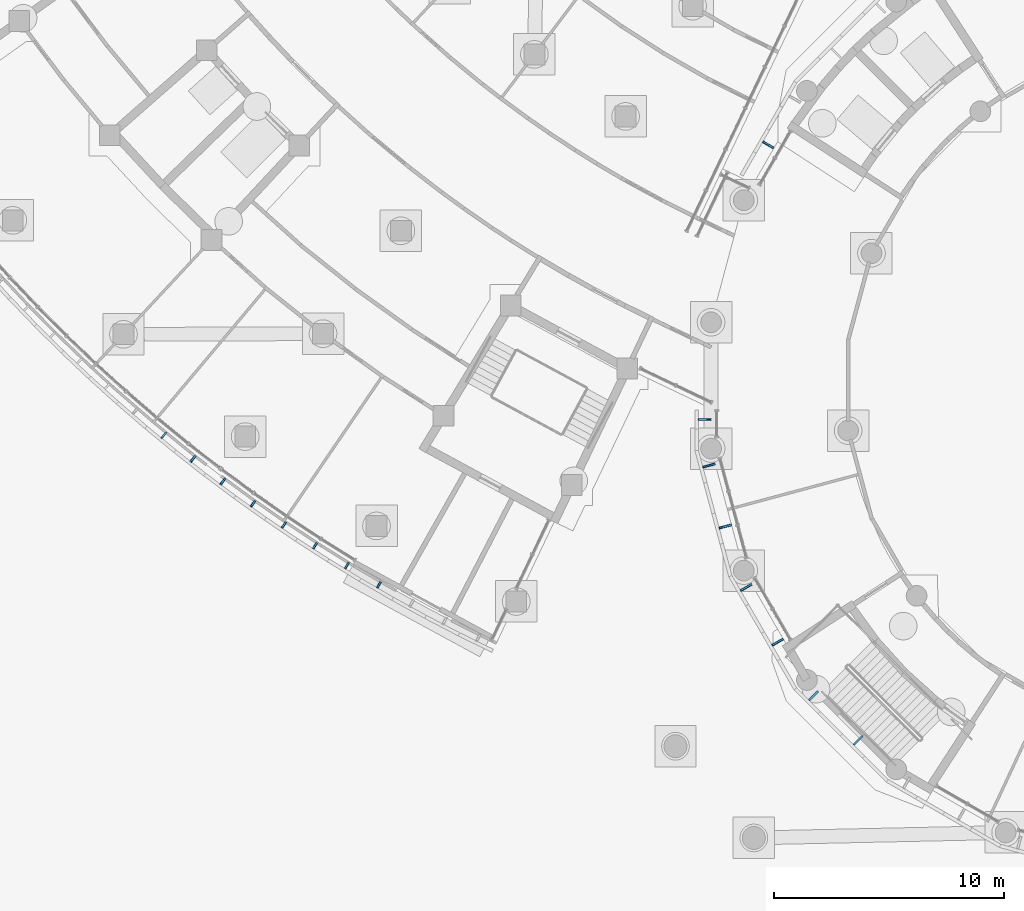
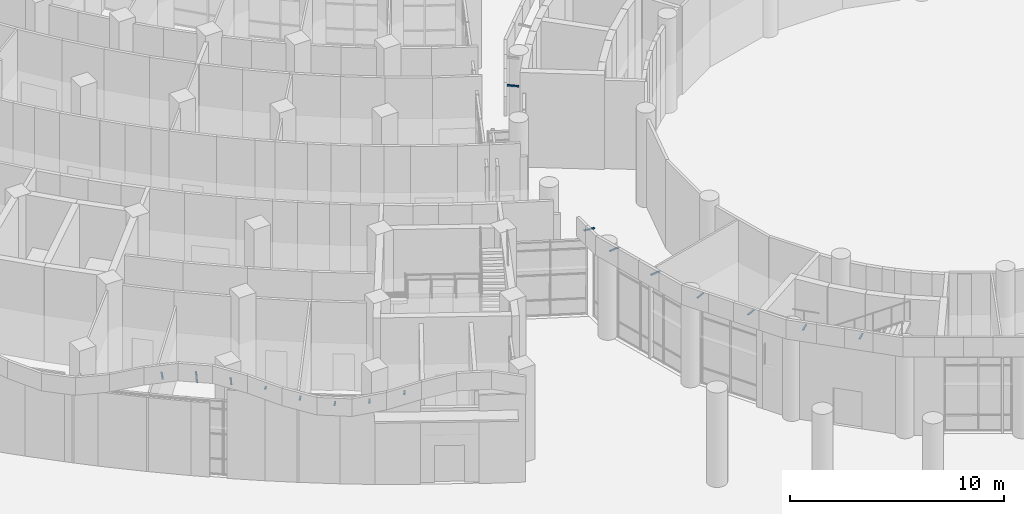
# One storey, part 107 of 146: 16 discrete accessories.
"""IFC4 building model written with IfcOpenShell, lengths in metres."""

from ifc_helpers import new_model, si_unit, direction, frame, origin, origin_2d, place, context, subcontext, project, spatial, rectangle, extrude, material, material_profile, profile_set, type_object, element, save


model = new_model("IFC4")

# Units and contexts
model_context = context("Model", 3, precision=1e-05, world=origin(), true_north=direction((0.0, 1.0)))
body_context = subcontext(model_context, "Body", "Model", "MODEL_VIEW")
ifc_project = project(units=[si_unit("LENGTHUNIT", "METRE"), si_unit("AREAUNIT", "SQUARE_METRE"), si_unit("VOLUMEUNIT", "CUBIC_METRE"), si_unit("PLANEANGLEUNIT", "RADIAN"), si_unit("MASSUNIT", "GRAM", prefix="KILO")], contexts=[model_context])

# Site, building, storey
site_placement = place(None, origin())
site = spatial("IfcSite", under=ifc_project, at=site_placement, CompositionType="ELEMENT")
building_placement = place(site_placement, origin())
building = spatial("IfcBuilding", under=site, at=building_placement, Name="Bougainvillea Quay General Hospital", CompositionType="ELEMENT")
storey_placement = place(building_placement, origin())
storey = spatial("IfcBuildingStorey", under=building, at=storey_placement, Name="L00", CompositionType="ELEMENT", Elevation=0.0)

# Discrete accessories
ifc_material = material(Name="Stainless steel bracket, grade 316", Category="steel")
ifc_material_profile = material_profile(ifc_material, rectangle(XDim=0.080078125, YDim=0.050048828125, at=origin_2d()))
ifc_profile_set = profile_set([ifc_material_profile], Name="Stainless steel bracket, grade 316")
discrete_accessory_type = type_object("IfcDiscreteAccessoryType", Name="Stainless steel stand-off bracket 80x50", PredefinedType="BRACKET", material=ifc_profile_set)
discrete_accessory_1_placement = place(storey_placement, frame((64.724609375, 71.951171875, 5.340087890625), z_axis=(-0.292053198227, -0.354876421405, 0.888125922905), x_axis=(0.77214157082, -0.635450544584, 0.0)))
element("IfcDiscreteAccessory", 1, at=discrete_accessory_1_placement, inside=storey, type_object=discrete_accessory_type, Name="Fascia bracket a01 25", PredefinedType="BRACKET", context=body_context, shape_type="SweptSolid", body=[
    extrude(rectangle(XDim=0.080078125, YDim=0.050048828125, at=origin_2d()), origin(), (0.0, 0.0, 1.0), 0.65283203125),
])
discrete_accessory_2_placement = place(storey_placement, frame((65.98974609375, 70.9345703125, 5.340087890625), z_axis=(-0.216800039053, -0.276212961481, 0.936324806345), x_axis=(0.786628745122, -0.617426284951, 0.0)))
element("IfcDiscreteAccessory", 2, at=discrete_accessory_2_placement, inside=storey, type_object=discrete_accessory_type, Name="Fascia bracket a01 26", PredefinedType="BRACKET", context=body_context, shape_type="SweptSolid", body=[
    extrude(rectangle(XDim=0.080078125, YDim=0.050048828125, at=origin_2d()), origin(), (0.0, 0.0, 1.0), 0.854736328125),
])
discrete_accessory_3_placement = place(storey_placement, frame((67.278076171875, 69.947509765625, 5.340087890625), z_axis=(-0.269316566917, -0.360064540553, 0.893208885659), x_axis=(0.80078057117, -0.598957825591, 0.0)))
element("IfcDiscreteAccessory", 3, at=discrete_accessory_3_placement, inside=storey, type_object=discrete_accessory_type, Name="Fascia bracket a01 27", PredefinedType="BRACKET", context=body_context, shape_type="SweptSolid", body=[
    extrude(rectangle(XDim=0.080078125, YDim=0.050048828125, at=origin_2d()), origin(), (0.0, 0.0, 1.0), 0.667236328125),
])
discrete_accessory_4_placement = place(storey_placement, frame((68.5888671875, 68.990478515625, 5.340087890625), z_axis=(-0.558568371157, -0.784189256, 0.270275018302), x_axis=(0.814502463305, -0.58016009624, 0.0)))
element("IfcDiscreteAccessory", 4, at=discrete_accessory_4_placement, inside=storey, type_object=discrete_accessory_type, Name="Fascia bracket a01 28", PredefinedType="BRACKET", context=body_context, shape_type="SweptSolid", body=[
    extrude(rectangle(XDim=0.080078125, YDim=0.050048828125, at=origin_2d()), origin(), (0.0, 0.0, 1.0), 0.3115234375),
])
for number, where, z_axis, x_axis, name in (
    (5, (69.921630859375, 68.064208984375, 4.898681640625), (-0.561441723053, -0.827516278761, 0.0), (0.827516278761, -0.561441723053, 0.0), "Fascia bracket a01 29"),
    (6, (71.275390625, 67.169189453125, 4.660400390625), (-0.54129229485, -0.840834497113, 0.0), (0.840834497113, -0.54129229485, 0.0), "Fascia bracket a01 30"),
):
    element("IfcDiscreteAccessory", number, at=place(storey_placement, frame(where, z_axis=z_axis, x_axis=x_axis)), inside=storey, type_object=discrete_accessory_type, Name=name, PredefinedType="BRACKET", context=body_context, shape_type="SweptSolid", body=[
        extrude(rectangle(XDim=0.080078125, YDim=0.050048828125, at=origin_2d()), origin(), (0.0, 0.0, 1.0), 0.300048828125),
    ])
discrete_accessory_5_placement = place(storey_placement, frame((72.649658203125, 66.3056640625, 4.8466796875), z_axis=(-0.521779232361, -0.853080554624, 0.0), x_axis=(0.853080554624, -0.521779232361, 0.0)))
element("IfcDiscreteAccessory", 7, at=discrete_accessory_5_placement, inside=storey, type_object=discrete_accessory_type, Name="Fascia bracket a01 31", PredefinedType="BRACKET", context=body_context, shape_type="SweptSolid", body=[
    extrude(rectangle(XDim=0.080078125, YDim=0.050048828125, at=origin_2d()), origin(), (0.0, 0.0, 1.0), 0.2998046875),
])
discrete_accessory_6_placement = place(storey_placement, frame((74.043701171875, 65.47412109375, 5.340087890625), z_axis=(-0.502680138757, -0.863828976311, 0.033349329594), x_axis=(0.86430974307, -0.502959906984, 0.0)))
element("IfcDiscreteAccessory", 8, at=discrete_accessory_6_placement, inside=storey, type_object=discrete_accessory_type, Name="Fascia bracket a01 32", PredefinedType="BRACKET", context=body_context, shape_type="SweptSolid", body=[
    extrude(rectangle(XDim=0.080078125, YDim=0.050048828125, at=origin_2d()), origin(), (0.0, 0.0, 1.0), 0.300048828125),
])
discrete_accessory_7_placement = place(storey_placement, frame((91.10693359375, 84.301513671875, 5.340087890625), z_axis=(-0.861026591596, 0.496932825288, 0.108124815449), x_axis=(-0.499863360881, -0.866104278045, 0.0)))
element("IfcDiscreteAccessory", 9, at=discrete_accessory_7_placement, inside=storey, type_object=discrete_accessory_type, Name="Fascia bracket e0 41", PredefinedType="BRACKET", context=body_context, shape_type="SweptSolid", body=[
    extrude(rectangle(XDim=0.080078125, YDim=0.050048828125, at=origin_2d()), origin(), (0.0, 0.0, 1.0), 0.55322265625),
])
discrete_accessory_8_placement = place(storey_placement, frame((88.3798828125, 72.519775390625, 5.340087890625), z_axis=(-0.994134149227, 0.0, 0.108154026004), x_axis=(0.0, -1.0, 0.0)))
element("IfcDiscreteAccessory", 10, at=discrete_accessory_8_placement, inside=storey, type_object=discrete_accessory_type, Name="Fascia bracket e1 1", PredefinedType="BRACKET", context=body_context, shape_type="SweptSolid", body=[
    extrude(rectangle(XDim=0.080078125, YDim=0.050048828125, at=origin_2d()), origin(), (0.0, 0.0, 1.0), 0.552978515625),
])
for number, where, z_axis, x_axis, name in (
    (11, (88.557373046875, 70.59716796875, 5.340087890625), (-0.960269906172, -0.257278196369, 0.108118624546), (0.258795254151, -0.965932200741, 0.0), "Fascia bracket e1 3"),
    (12, (89.266845703125, 67.94970703125, 5.340087890625), (-0.960269906172, -0.257278196369, 0.108118624546), (0.258795254151, -0.965932200741, 0.0), "Fascia bracket e1 5"),
    (13, (90.1416015625, 65.37060546875, 5.340087890625), (-0.860837738787, -0.497265059771, 0.10810109995), (0.500196256984, -0.865912065108, 0.0), "Fascia bracket e1 7"),
    (14, (91.51220703125, 62.99658203125, 5.340087890625), (-0.860837738787, -0.497265059771, 0.10810109995), (0.500196256984, -0.865912065108, 0.0), "Fascia bracket e1 9"),
    (15, (93.0244140625, 60.7314453125, 5.340087890625), (-0.702962071762, -0.702962071762, 0.108114066279), (0.707106781187, -0.707106781187, 0.0), "Fascia bracket e1 11"),
    (16, (94.96240234375, 58.79345703125, 5.340087890625), (-0.702962071762, -0.702962071762, 0.108114066279), (0.707106781187, -0.707106781187, 0.0), "Fascia bracket e1 13"),
):
    element("IfcDiscreteAccessory", number, at=place(storey_placement, frame(where, z_axis=z_axis, x_axis=x_axis)), inside=storey, type_object=discrete_accessory_type, Name=name, PredefinedType="BRACKET", context=body_context, shape_type="SweptSolid", body=[
        extrude(rectangle(XDim=0.080078125, YDim=0.050048828125, at=origin_2d()), origin(), (0.0, 0.0, 1.0), 0.55322265625),
    ])

save(model, "model.ifc")
